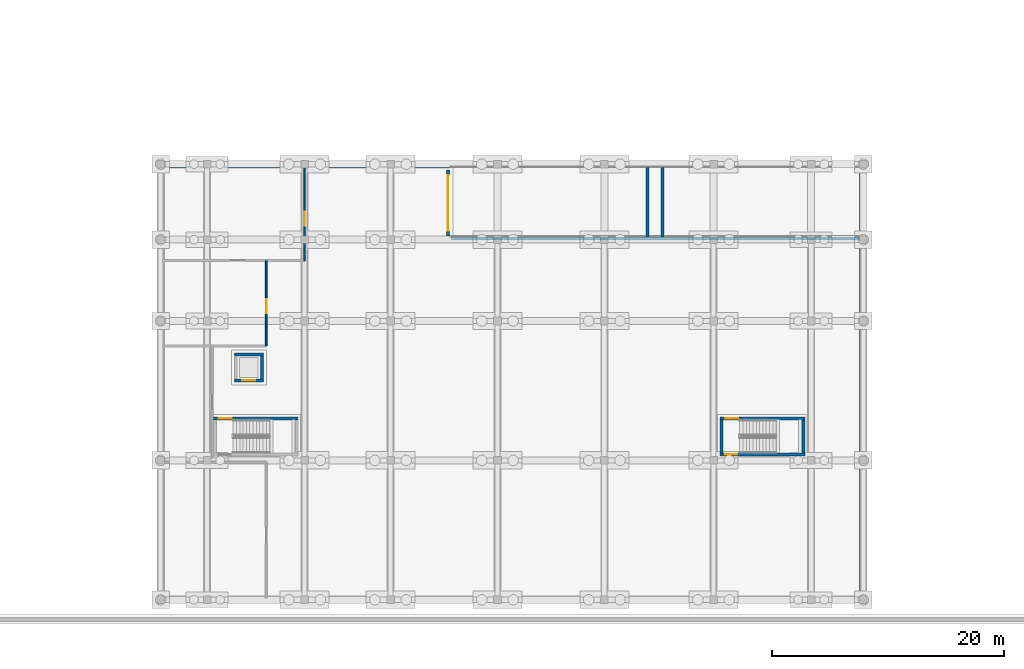
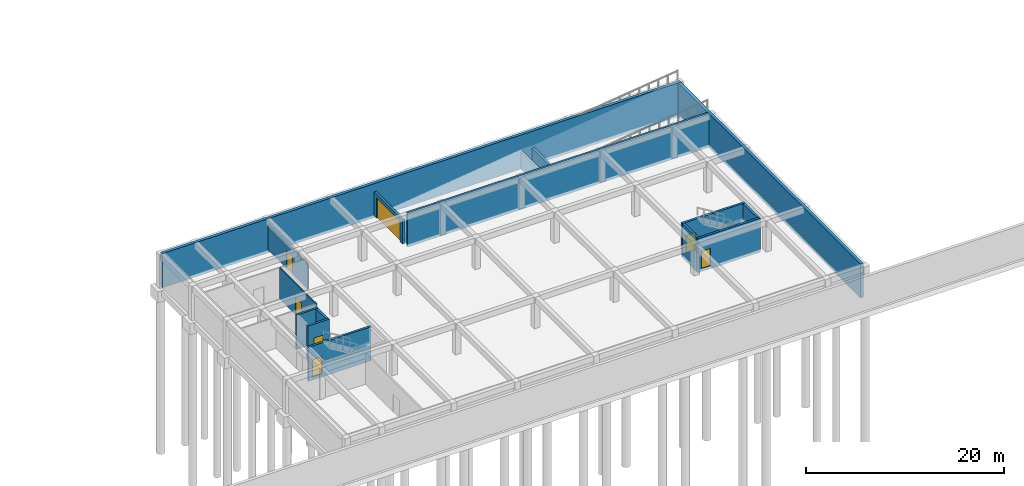
# One storey, part 6 of 10: 16 walls, 7 doors, 7 openings.
"""IFC4 building model written with IfcOpenShell, lengths in metres."""

from ifc_helpers import new_model, si_unit, direction, frame, frame_2d, origin, place, context, subcontext, project, spatial, rectangle, extrude, material, layer, layer_set, type_object, element, fill, save


model = new_model("IFC4")

# Units and contexts
model_context = context("Model", 3, precision=1e-05, world=origin(), true_north=direction((0.0, 1.0)))
body_context = subcontext(model_context, "Body", "Model", "MODEL_VIEW")
ifc_project = project(units=[si_unit("LENGTHUNIT", "METRE"), si_unit("AREAUNIT", "SQUARE_METRE"), si_unit("VOLUMEUNIT", "CUBIC_METRE"), si_unit("PLANEANGLEUNIT", "RADIAN"), si_unit("MASSUNIT", "GRAM", prefix="KILO")], contexts=[model_context])

# Site, building, storey
site_placement = place(None, origin())
site = spatial("IfcSite", under=ifc_project, at=site_placement, CompositionType="ELEMENT")
building_placement = place(site_placement, origin())
building = spatial("IfcBuilding", under=site, at=building_placement, Name="Kestramere Prow Commons", CompositionType="ELEMENT")
storey_placement = place(building_placement, frame((0.0, 0.0, -4.199951171875)))
storey = spatial("IfcBuildingStorey", under=building, at=storey_placement, Name="B1", CompositionType="ELEMENT", Elevation=-4.199951171875)

# Wall, opening, door
ifc_material_1 = material(Name="Precast concrete C40/50", Category="concrete")
ifc_layer_1 = layer(ifc_material_1, 0.280029296875)
ifc_layer_set_1 = layer_set([ifc_layer_1], Name="Precast concrete C40/50")
wall_type_1 = type_object("IfcWallType", Name="EW-CIVIC-280", PredefinedType="SOLIDWALL", material=ifc_layer_set_1)
wall_1_placement = place(storey_placement, frame((80.75, 37.0, 0.0), z_axis=(0.0, 0.0, 1.0), x_axis=(0.0, -1.0, 0.0)))
wall_1 = element("IfcWall", 1, at=wall_1_placement, inside=storey, type_object=wall_type_1, Name="B1 Car Park Ramp Threshold Portal Wall", PredefinedType="SOLIDWALL", context=body_context, shape_type="SweptSolid", body=[
    extrude(rectangle(XDim=5.699951171875, YDim=0.280029296875, at=frame_2d((2.85009765625, 0.0))), origin(), (0.0, 0.0, 1.0), 2.949951171875),
])
opening_1_placement = place(wall_1_placement, frame((0.449951171875, 0.0, 0.0)))
opening_1 = element("IfcOpeningElement", 2, at=opening_1_placement, cuts=wall_1, Name="Opening VG-03", PredefinedType="OPENING", context=body_context, shape_type="SweptSolid", body=[
    extrude(rectangle(XDim=4.800048828125, YDim=2.5, at=frame_2d((2.39990234375, 1.25))), frame((0.0, 0.155029296875, 0.0), z_axis=(0.0, -1.0, 0.0), x_axis=(1.0, 0.0, 0.0)), (0.0, 0.0, 1.0), 0.31005859375),
])
ifc_material_2 = material(Name="Galvanised Steel S275JR", Category="steel")
door_type_1 = type_object("IfcDoorType", Name="VG-B1-4800", OperationType="ROLLINGUP", PredefinedType="DOOR", material=ifc_material_2)
door_1_placement = place(opening_1_placement, origin())
door_1 = element("IfcDoor", 3, at=door_1_placement, inside=storey, type_object=door_type_1, Name="B1 Car Park Entry Roller Shutter Door", OperationType="ROLLINGUP", OverallHeight=2.5, OverallWidth=4.800048828125, PredefinedType="DOOR", context=body_context, shape_type="SweptSolid", body=[
    extrude(rectangle(XDim=4.800048828125, YDim=2.5, at=frame_2d((2.39990234375, 1.25))), frame((0.0, 0.02490234375, 0.0), z_axis=(0.0, -1.0, 0.0), x_axis=(1.0, 0.0, 0.0)), (0.0, 0.0, 1.0), 0.050048828125),
])
fill(opening_1, door_1)

ifc_material_3 = material(Name="Concrete C40/50", Category="concrete")
ifc_layer_2 = layer(ifc_material_3, 0.25)
ifc_layer_set_2 = layer_set([ifc_layer_2], Name="Concrete C40/50")
wall_type_2 = type_object("IfcWallType", Name="W-CORE-250", PredefinedType="SHEAR", material=ifc_layer_set_2)
wall_2_placement = place(storey_placement, frame((60.550048828125, 15.625, -0.35009765625), z_axis=(0.0, 0.0, 1.0), x_axis=(1.0, 0.0, 0.0)))
wall_2 = element("IfcWall", 4, at=wall_2_placement, inside=storey, type_object=wall_type_2, Name="SW-ST-M1-B1-R", PredefinedType="SHEAR", context=body_context, shape_type="SweptSolid", body=[
    extrude(rectangle(XDim=7.300048828125, YDim=0.25, at=frame_2d((3.64990234375, 0.0))), origin(), (0.0, 0.0, 1.0), 4.199951171875),
])
opening_2_placement = place(wall_2_placement, frame((0.449951171875, 0.0, 0.35009765625)))
opening_2 = element("IfcOpeningElement", 5, at=opening_2_placement, cuts=wall_2, Name="Opening ID-02", PredefinedType="OPENING", context=body_context, shape_type="SweptSolid", body=[
    extrude(rectangle(XDim=1.1201171875, YDim=2.14990234375, at=frame_2d((0.56005859375, 1.074951171875))), frame((0.0, 0.139892578125, 0.0), z_axis=(0.0, -1.0, 0.0), x_axis=(1.0, 0.0, 0.0)), (0.0, 0.0, 1.0), 0.280029296875),
])
ifc_material_4 = material(Name="Fire-Rated Timber and Steel Frame", Category="steel")
door_type_2 = type_object("IfcDoorType", Name="FD-ST-02", OperationType="NOTDEFINED", PredefinedType="DOOR", material=ifc_material_4)
door_2_placement = place(opening_2_placement, origin())
door_2 = element("IfcDoor", 6, at=door_2_placement, inside=storey, type_object=door_type_2, Name="ST-M1 B1 Lobby/Exit Stair Door", OperationType="SINGLE_SWING_RIGHT", OverallHeight=2.14990234375, OverallWidth=1.1201171875, PredefinedType="DOOR", context=body_context, shape_type="SweptSolid", body=[
    extrude(rectangle(XDim=1.1201171875, YDim=2.14990234375, at=frame_2d((0.56005859375, 1.074951171875))), frame((0.0, 0.02490234375, 0.0), z_axis=(0.0, -1.0, 0.0), x_axis=(1.0, 0.0, 0.0)), (0.0, 0.0, 1.0), 0.050048828125),
])
fill(opening_2, door_2)

wall_3_placement = place(storey_placement, frame((104.14990234375, 12.52490234375, -0.35009765625), z_axis=(0.0, 0.0, 1.0), x_axis=(1.0, 0.0, 0.0)))
wall_3 = element("IfcWall", 7, at=wall_3_placement, inside=storey, type_object=wall_type_2, Name="SW-ST-M2-B1-L", PredefinedType="SHEAR", context=body_context, shape_type="SweptSolid", body=[
    extrude(rectangle(XDim=7.300048828125, YDim=0.25, at=frame_2d((3.64990234375, 0.0))), origin(), (0.0, 0.0, 1.0), 4.199951171875),
])
opening_3_placement = place(wall_3_placement, frame((0.449951171875, 0.0, 0.35009765625)))
opening_3 = element("IfcOpeningElement", 8, at=opening_3_placement, cuts=wall_3, Name="Opening ID-01", PredefinedType="OPENING", context=body_context, shape_type="SweptSolid", body=[
    extrude(rectangle(XDim=1.050048828125, YDim=2.14990234375, at=frame_2d((0.52490234375, 1.074951171875))), frame((0.0, 0.139892578125, 0.0), z_axis=(0.0, -1.0, 0.0), x_axis=(1.0, 0.0, 0.0)), (0.0, 0.0, 1.0), 0.280029296875),
])
door_type_3 = type_object("IfcDoorType", Name="FD-ST-01", OperationType="NOTDEFINED", PredefinedType="DOOR", material=ifc_material_4)
door_3_placement = place(opening_3_placement, origin())
door_3 = element("IfcDoor", 9, at=door_3_placement, inside=storey, type_object=door_type_3, Name="ST-M2 B1 Protected Stair Door", OperationType="SINGLE_SWING_LEFT", OverallHeight=2.14990234375, OverallWidth=1.050048828125, PredefinedType="DOOR", context=body_context, shape_type="SweptSolid", body=[
    extrude(rectangle(XDim=1.050048828125, YDim=2.14990234375, at=frame_2d((0.52490234375, 1.074951171875))), frame((0.0, 0.02490234375, 0.0), z_axis=(0.0, -1.0, 0.0), x_axis=(1.0, 0.0, 0.0)), (0.0, 0.0, 1.0), 0.050048828125),
])
fill(opening_3, door_3)

wall_4_placement = place(storey_placement, frame((104.14990234375, 15.625, -0.35009765625), z_axis=(0.0, 0.0, 1.0), x_axis=(1.0, 0.0, 0.0)))
wall_4 = element("IfcWall", 10, at=wall_4_placement, inside=storey, type_object=wall_type_2, Name="SW-ST-M2-B1-R", PredefinedType="SHEAR", context=body_context, shape_type="SweptSolid", body=[
    extrude(rectangle(XDim=7.300048828125, YDim=0.25, at=frame_2d((3.64990234375, 0.0))), origin(), (0.0, 0.0, 1.0), 4.199951171875),
])
opening_4_placement = place(wall_4_placement, frame((0.449951171875, 0.0, 0.35009765625)))
opening_4 = element("IfcOpeningElement", 11, at=opening_4_placement, cuts=wall_4, Name="Opening ID-02", PredefinedType="OPENING", context=body_context, shape_type="SweptSolid", body=[
    extrude(rectangle(XDim=1.1201171875, YDim=2.14990234375, at=frame_2d((0.56005859375, 1.074951171875))), frame((0.0, 0.139892578125, 0.0), z_axis=(0.0, -1.0, 0.0), x_axis=(1.0, 0.0, 0.0)), (0.0, 0.0, 1.0), 0.280029296875),
])
door_4_placement = place(opening_4_placement, origin())
door_4 = element("IfcDoor", 12, at=door_4_placement, inside=storey, type_object=door_type_2, Name="ST-M2 B1 Lobby/Exit Stair Door", OperationType="SINGLE_SWING_RIGHT", OverallHeight=2.14990234375, OverallWidth=1.1201171875, PredefinedType="DOOR", context=body_context, shape_type="SweptSolid", body=[
    extrude(rectangle(XDim=1.1201171875, YDim=2.14990234375, at=frame_2d((0.56005859375, 1.074951171875))), frame((0.0, 0.02490234375, 0.0), z_axis=(0.0, -1.0, 0.0), x_axis=(1.0, 0.0, 0.0)), (0.0, 0.0, 1.0), 0.050048828125),
])
fill(opening_4, door_4)

# Walls
for number, where, z_axis, x_axis, name in (
    (13, (104.27490234375, 12.64990234375, -0.35009765625), (0.0, 0.0, 1.0), (0.0, 1.0, 0.0), "SW-ST-M2-B1-N"),
    (14, (111.324951171875, 12.64990234375, -0.35009765625), (0.0, 0.0, 1.0), (0.0, 1.0, 0.0), "SW-ST-M2-B1-F"),
):
    element("IfcWall", number, at=place(storey_placement, frame(where, z_axis=z_axis, x_axis=x_axis)), inside=storey, type_object=wall_type_2, Name=name, PredefinedType="SHEAR", context=body_context, shape_type="SweptSolid", body=[
        extrude(rectangle(XDim=2.85009765625, YDim=0.25, at=frame_2d((1.425048828125, 0.0))), origin(), (0.0, 0.0, 1.0), 4.199951171875),
    ])
wall_5_placement = place(storey_placement, frame((62.35009765625, 21.125, -0.35009765625), z_axis=(0.0, 0.0, 1.0), x_axis=(1.0, 0.0, 0.0)))
element("IfcWall", 15, at=wall_5_placement, inside=storey, type_object=wall_type_2, Name="CW-PLS1-B1-N", PredefinedType="SHEAR", context=body_context, shape_type="SweptSolid", body=[
    extrude(rectangle(XDim=2.5, YDim=0.25, at=frame_2d((1.25, 0.0))), origin(), (0.0, 0.0, 1.0), 4.199951171875),
])

# Wall, opening, door
wall_6_placement = place(storey_placement, frame((62.35009765625, 18.875, -0.35009765625), z_axis=(0.0, 0.0, 1.0), x_axis=(1.0, 0.0, 0.0)))
wall_6 = element("IfcWall", 16, at=wall_6_placement, inside=storey, type_object=wall_type_2, Name="CW-PLS1-B1-S", PredefinedType="SHEAR", context=body_context, shape_type="SweptSolid", body=[
    extrude(rectangle(XDim=2.5, YDim=0.25, at=frame_2d((1.25, 0.0))), origin(), (0.0, 0.0, 1.0), 4.199951171875),
])
opening_5_placement = place(wall_6_placement, frame((0.699951171875, 0.0, 0.35009765625)))
opening_5 = element("IfcOpeningElement", 17, at=opening_5_placement, cuts=wall_6, Name="Opening LD-01", PredefinedType="OPENING", context=body_context, shape_type="SweptSolid", body=[
    extrude(rectangle(XDim=1.10009765625, YDim=2.14990234375, at=frame_2d((0.550048828125, 1.074951171875))), frame((0.0, 0.139892578125, 0.0), z_axis=(0.0, -1.0, 0.0), x_axis=(1.0, 0.0, 0.0)), (0.0, 0.0, 1.0), 0.280029296875),
])
ifc_material_5 = material(Name="Brushed Stainless Steel 304", Category="steel")
door_type_4 = type_object("IfcDoorType", Name="LD-01", OperationType="DOUBLE_DOOR_SLIDING", PredefinedType="DOOR", material=ifc_material_5)
door_5_placement = place(opening_5_placement, origin())
door_5 = element("IfcDoor", 18, at=door_5_placement, inside=storey, type_object=door_type_4, Name="PL-S1 B1 Lift Landing Door", OperationType="DOUBLE_DOOR_SLIDING", OverallHeight=2.14990234375, OverallWidth=1.10009765625, PredefinedType="DOOR", context=body_context, shape_type="SweptSolid", body=[
    extrude(rectangle(XDim=1.10009765625, YDim=2.14990234375, at=frame_2d((0.550048828125, 1.074951171875))), frame((0.0, 0.02490234375, 0.0), z_axis=(0.0, -1.0, 0.0), x_axis=(1.0, 0.0, 0.0)), (0.0, 0.0, 1.0), 0.050048828125),
])
fill(opening_5, door_5)

# Walls
wall_7_placement = place(storey_placement, frame((64.72509765625, 19.0, -0.35009765625), z_axis=(0.0, 0.0, 1.0), x_axis=(0.0, 1.0, 0.0)))
element("IfcWall", 19, at=wall_7_placement, inside=storey, type_object=wall_type_2, Name="CW-PLS1-B1-E", PredefinedType="SHEAR", context=body_context, shape_type="SweptSolid", body=[
    extrude(rectangle(XDim=2.0, YDim=0.25, at=frame_2d((1.0, 0.0))), origin(), (0.0, 0.0, 1.0), 4.199951171875),
])
wall_8_placement = place(storey_placement, frame((81.0, 31.10009765625, -0.35009765625), z_axis=(0.0, 0.0, 1.0), x_axis=(1.0, 0.0, 0.0)))
element("IfcWall", 20, at=wall_8_placement, inside=storey, type_object=wall_type_2, Name="Car Park Ramp R1 Flank Shear Wall", PredefinedType="SHEAR", context=body_context, shape_type="SweptSolid", body=[
    extrude(rectangle(XDim=35.14990234375, YDim=0.25, at=frame_2d((17.574951171875, 0.0))), origin(), (0.0, 0.0, 1.0), 4.199951171875),
])
for number, where, z_axis, x_axis, name in (
    (21, (97.919921875, 31.25, -0.35009765625), (0.0, 0.0, 1.0), (0.0, 1.0, 0.0), "Car Park Ramp Landing Support Wall W"),
    (22, (99.219970703125, 31.25, -0.35009765625), (0.0, 0.0, 1.0), (0.0, 1.0, 0.0), "Car Park Ramp Landing Support Wall E"),
):
    element("IfcWall", number, at=place(storey_placement, frame(where, z_axis=z_axis, x_axis=x_axis)), inside=storey, type_object=wall_type_2, Name=name, PredefinedType="SHEAR", context=body_context, shape_type="SweptSolid", body=[
        extrude(rectangle(XDim=5.949951171875, YDim=0.25, at=frame_2d((2.97509765625, 0.0))), origin(), (0.0, 0.0, 1.0), 2.150146484375),
    ])

# Wall, opening, door
ifc_material_6 = material(Name="Masonry Compartment Wall", Category="masonry")
ifc_layer_3 = layer(ifc_material_6, 0.14990234375)
ifc_layer_set_3 = layer_set([ifc_layer_3], Name="Masonry Compartment Wall")
wall_type_3 = type_object("IfcWallType", Name="W-PART-150", PredefinedType="PARTITIONING", material=ifc_layer_set_3)
wall_9_placement = place(storey_placement, frame((65.10009765625, 21.85009765625, 0.0), z_axis=(0.0, 0.0, 1.0), x_axis=(0.0, 1.0, 0.0)))
wall_9 = element("IfcWall", 23, at=wall_9_placement, inside=storey, type_object=wall_type_3, Name="Interior Partition PW-B1-SWG-E", PredefinedType="PARTITIONING", context=body_context, shape_type="SweptSolid", body=[
    extrude(rectangle(XDim=7.349853515625, YDim=0.14990234375, at=frame_2d((3.6748046875, 0.0))), origin(), (0.0, 0.0, 1.0), 3.820068359375),
])
opening_6_placement = place(wall_9_placement, frame((2.800048828125, 0.0, 0.0)))
opening_6 = element("IfcOpeningElement", 24, at=opening_6_placement, cuts=wall_9, Name="Opening ID-07", PredefinedType="OPENING", context=body_context, shape_type="SweptSolid", body=[
    extrude(rectangle(XDim=1.219970703125, YDim=2.14990234375, at=frame_2d((0.60986328125, 1.074951171875))), frame((0.0, 0.08984375, 0.0), z_axis=(0.0, -1.0, 0.0), x_axis=(1.0, 0.0, 0.0)), (0.0, 0.0, 1.0), 0.179931640625),
])
ifc_material_7 = material(Name="Galvanised Steel S275JR Plant Room Door", Category="steel")
door_type_5 = type_object("IfcDoorType", Name="FD-PL-01", OperationType="NOTDEFINED", PredefinedType="DOOR", material=ifc_material_7)
door_6_placement = place(opening_6_placement, origin())
door_6 = element("IfcDoor", 25, at=door_6_placement, inside=storey, type_object=door_type_5, Name="Interior Door DR-B1-SWG", OperationType="SINGLE_SWING_LEFT", OverallHeight=2.14990234375, OverallWidth=1.219970703125, PredefinedType="DOOR", context=body_context, shape_type="SweptSolid", body=[
    extrude(rectangle(XDim=1.219970703125, YDim=2.14990234375, at=frame_2d((0.60986328125, 1.074951171875))), frame((0.0, 0.02490234375, 0.0), z_axis=(0.0, -1.0, 0.0), x_axis=(1.0, 0.0, 0.0)), (0.0, 0.0, 1.0), 0.050048828125),
])
fill(opening_6, door_6)

wall_10_placement = place(storey_placement, frame((68.39990234375, 29.199951171875, 0.0), z_axis=(0.0, 0.0, 1.0), x_axis=(0.0, 1.0, 0.0)))
wall_10 = element("IfcWall", 26, at=wall_10_placement, inside=storey, type_object=wall_type_3, Name="Interior Partition PW-B1-BIKE-E", PredefinedType="PARTITIONING", context=body_context, shape_type="SweptSolid", body=[
    extrude(rectangle(XDim=8.1201171875, YDim=0.14990234375, at=frame_2d((4.06005859375, 0.0))), origin(), (0.0, 0.0, 1.0), 3.14990234375),
])
opening_7_placement = place(wall_10_placement, frame((3.0, 0.0, 0.0)))
opening_7 = element("IfcOpeningElement", 27, at=opening_7_placement, cuts=wall_10, Name="Opening ID-07", PredefinedType="OPENING", context=body_context, shape_type="SweptSolid", body=[
    extrude(rectangle(XDim=1.219970703125, YDim=2.14990234375, at=frame_2d((0.60986328125, 1.074951171875))), frame((0.0, 0.08984375, 0.0), z_axis=(0.0, -1.0, 0.0), x_axis=(1.0, 0.0, 0.0)), (0.0, 0.0, 1.0), 0.179931640625),
])
door_7_placement = place(opening_7_placement, origin())
door_7 = element("IfcDoor", 28, at=door_7_placement, inside=storey, type_object=door_type_5, Name="Interior Door DR-B1-BIKE-LP", OperationType="SINGLE_SWING_LEFT", OverallHeight=2.14990234375, OverallWidth=1.219970703125, PredefinedType="DOOR", context=body_context, shape_type="SweptSolid", body=[
    extrude(rectangle(XDim=1.219970703125, YDim=2.14990234375, at=frame_2d((0.60986328125, 1.074951171875))), frame((0.0, 0.02490234375, 0.0), z_axis=(0.0, -1.0, 0.0), x_axis=(1.0, 0.0, 0.0)), (0.0, 0.0, 1.0), 0.050048828125),
])
fill(opening_7, door_7)

# Walls
ifc_material_8 = material(Name="Pigmented Charcoal Concrete C35/45", Category="concrete")
ifc_layer_4 = layer(ifc_material_8, 0.35009765625)
ifc_layer_set_4 = layer_set([ifc_layer_4], Name="Pigmented Charcoal Concrete C35/45")
wall_type_4 = type_object("IfcWallType", Name="W-RET-350", PredefinedType="USERDEFINED", material=ifc_layer_set_4)
wall_11_placement = place(storey_placement, frame((56.0, 37.324951171875, -0.35009765625), z_axis=(0.0, 0.0, 1.0), x_axis=(1.0, 0.0, 0.0)))
element("IfcWall", 29, at=wall_11_placement, inside=storey, type_object=wall_type_4, Name="B1 Perimeter Retaining Wall N", ObjectType="RETAINING WALL", PredefinedType="USERDEFINED", context=body_context, shape_type="SweptSolid", body=[
    extrude(rectangle(XDim=60.5, YDim=0.35009765625, at=frame_2d((30.25, 0.0))), origin(), (0.0, 0.0, 1.0), 4.199951171875),
])
wall_12_placement = place(storey_placement, frame((116.324951171875, 0.35009765625, -0.35009765625), z_axis=(0.0, 0.0, 1.0), x_axis=(0.0, 1.0, 0.0)))
element("IfcWall", 30, at=wall_12_placement, inside=storey, type_object=wall_type_4, Name="B1 Perimeter Retaining Wall E", ObjectType="RETAINING WALL", PredefinedType="USERDEFINED", context=body_context, shape_type="SweptSolid", body=[
    extrude(rectangle(XDim=36.7998046875, YDim=0.35009765625, at=frame_2d((18.39990234375, 0.0))), origin(), (0.0, 0.0, 1.0), 4.199951171875),
])

save(model, "model.ifc")
